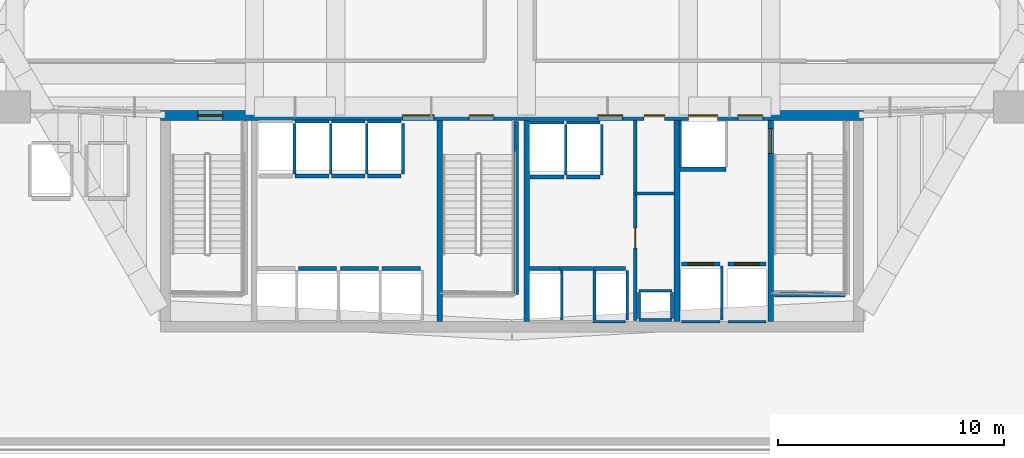
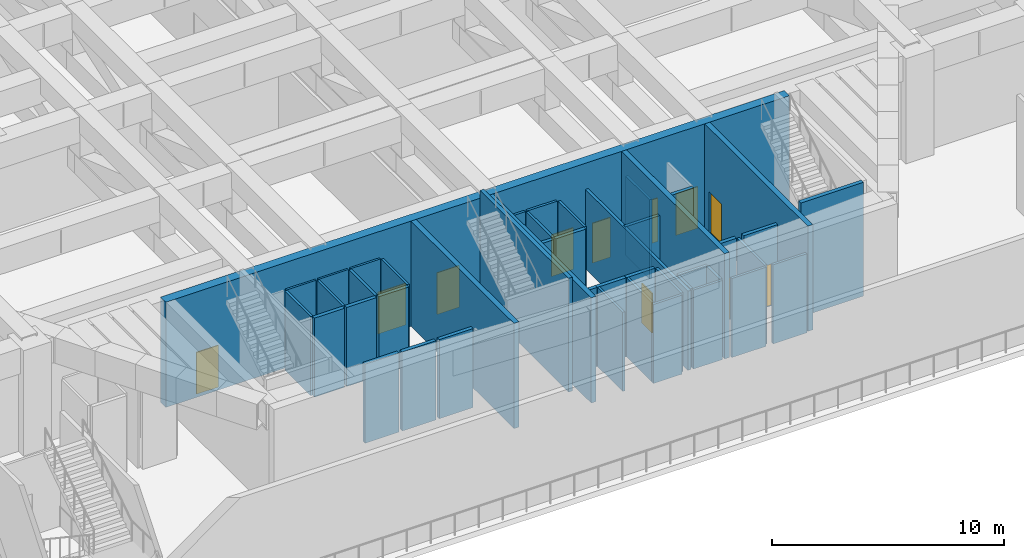
# One storey, part 10 of 27: 46 walls, 11 doors, 11 openings.
"""IFC4 building model written with IfcOpenShell, lengths in metres."""

from ifc_helpers import new_model, si_unit, direction, frame, frame_2d, origin, place, context, subcontext, project, spatial, rectangle, extrude, material, layer, layer_set, type_object, element, fill, save


model = new_model("IFC4")

# Units and contexts
model_context = context("Model", 3, precision=1e-05, world=origin(), true_north=direction((0.0, 1.0)))
body_context = subcontext(model_context, "Body", "Model", "MODEL_VIEW")
ifc_project = project(units=[si_unit("LENGTHUNIT", "METRE"), si_unit("AREAUNIT", "SQUARE_METRE"), si_unit("VOLUMEUNIT", "CUBIC_METRE"), si_unit("PLANEANGLEUNIT", "RADIAN"), si_unit("MASSUNIT", "GRAM", prefix="KILO")], contexts=[model_context])

# Site, building, storey
site_placement = place(None, origin())
site = spatial("IfcSite", under=ifc_project, at=site_placement, CompositionType="ELEMENT")
building_placement = place(site_placement, origin())
building = spatial("IfcBuilding", under=site, at=building_placement, Name="Ndaravel Arena Tower", CompositionType="ELEMENT")
storey_placement = place(building_placement, frame((0.0, 0.0, 24.0)))
storey = spatial("IfcBuildingStorey", under=building, at=storey_placement, Name="L04", CompositionType="ELEMENT", Elevation=24.0)

# Wall, opening, door
ifc_material_1 = material(Name="Gypsum", Category="gypsum")
ifc_layer_1 = layer(ifc_material_1, 0.14990234375)
ifc_layer_set_1 = layer_set([ifc_layer_1], Name="Gypsum")
wall_type_1 = type_object("IfcWallType", Name="WALL-COMP-150", PredefinedType="PARTITIONING", material=ifc_layer_set_1)
wall_1_placement = place(storey_placement, frame((47.449951171875, 5.89990234375, 0.0), z_axis=(0.0, 0.0, 1.0), x_axis=(0.0, 1.0, 0.0)))
wall_1 = element("IfcWall", 1, at=wall_1_placement, inside=storey, type_object=wall_type_1, Name="L04 Core Riser Bay Partition", PredefinedType="PARTITIONING", context=body_context, shape_type="SweptSolid", body=[
    extrude(rectangle(XDim=8.85009765625, YDim=0.14990234375, at=frame_2d((4.425048828125, 0.0))), origin(), (0.0, 0.0, 1.0), 4.169921875),
])
opening_1_placement = place(wall_1_placement, frame((3.199951171875, 0.0, 0.0)))
opening_1 = element("IfcOpeningElement", 2, at=opening_1_placement, cuts=wall_1, Name="Opening RD-01", PredefinedType="OPENING", context=body_context, shape_type="SweptSolid", body=[
    extrude(rectangle(XDim=0.89990234375, YDim=2.10009765625, at=frame_2d((0.449951171875, 1.050048828125))), frame((0.0, 0.074951171875, 0.0), z_axis=(0.0, -1.0, 0.0), x_axis=(1.0, 0.0, 0.0)), (0.0, 0.0, 1.0), 0.14990234375),
])
ifc_material_2 = material(Name="Steel S355", Category="steel")
door_type_1 = type_object("IfcDoorType", Name="DT-08-RISER-900", OperationType="SINGLE_SWING_LEFT", PredefinedType="DOOR", material=ifc_material_2)
door_1_placement = place(opening_1_placement, origin())
door_1 = element("IfcDoor", 3, at=door_1_placement, inside=storey, type_object=door_type_1, Name="L04 Sub-Metering Closet Door", OperationType="SINGLE_SWING_LEFT", OverallHeight=2.10009765625, OverallWidth=0.89990234375, PredefinedType="DOOR", context=body_context, shape_type="SweptSolid", body=[
    extrude(rectangle(XDim=0.89990234375, YDim=2.10009765625, at=frame_2d((0.449951171875, 1.050048828125))), frame((0.0, 0.02490234375, 0.0), z_axis=(0.0, -1.0, 0.0), x_axis=(1.0, 0.0, 0.0)), (0.0, 0.0, 1.0), 0.050048828125),
])
fill(opening_1, door_1)

# Walls
wall_2_placement = place(storey_placement, frame((47.449951171875, 11.52001953125, 0.0), z_axis=(0.0, 0.0, 1.0), x_axis=(1.0, 0.0, 0.0)))
element("IfcWall", 4, at=wall_2_placement, inside=storey, type_object=wall_type_1, Name="L04 Core Riser Divider 1", PredefinedType="PARTITIONING", context=body_context, shape_type="SweptSolid", body=[
    extrude(rectangle(XDim=1.72998046875, YDim=0.14990234375, at=frame_2d((0.864990234375, 0.0))), origin(), (0.0, 0.0, 1.0), 4.169921875),
])
ifc_material_3 = material(Name="Concrete C60/75", Category="concrete")
ifc_layer_2 = layer(ifc_material_3, 0.25)
ifc_layer_set_2 = layer_set([ifc_layer_2], Name="Concrete C60/75")
wall_type_2 = type_object("IfcWallType", Name="WALL-CORE-250", PredefinedType="SOLIDWALL", material=ifc_layer_set_2)
for number, where, z_axis, x_axis, name in (
    (5, (38.800048828125, 5.85009765625, 0.0), (0.0, 0.0, 1.0), (0.0, 1.0, 0.0), "L04 Core Web Shear Wall 2"),
    (6, (42.64990234375, 5.85009765625, 0.0), (0.0, 0.0, 1.0), (0.0, 1.0, 0.0), "L04 Core Web Shear Wall 3"),
    (7, (49.300048828125, 5.85009765625, 0.0), (0.0, 0.0, 1.0), (0.0, 1.0, 0.0), "L04 Core Web Shear Wall 4"),
):
    element("IfcWall", number, at=place(storey_placement, frame(where, z_axis=z_axis, x_axis=x_axis)), inside=storey, type_object=wall_type_2, Name=name, PredefinedType="SOLIDWALL", context=body_context, shape_type="SweptSolid", body=[
        extrude(rectangle(XDim=8.89990234375, YDim=0.25, at=frame_2d((4.449951171875, 0.0))), origin(), (0.0, 0.0, 1.0), 5.550048828125),
    ])

# Wall, opening, door
wall_3_placement = place(storey_placement, frame((53.449951171875, 5.85009765625, 0.0), z_axis=(0.0, 0.0, 1.0), x_axis=(0.0, 1.0, 0.0)))
wall_3 = element("IfcWall", 8, at=wall_3_placement, inside=storey, type_object=wall_type_2, Name="L04 Core Web Shear Wall 5", PredefinedType="SOLIDWALL", context=body_context, shape_type="SweptSolid", body=[
    extrude(rectangle(XDim=8.89990234375, YDim=0.25, at=frame_2d((4.449951171875, 0.0))), origin(), (0.0, 0.0, 1.0), 5.550048828125),
])
opening_2_placement = place(wall_3_placement, frame((7.449951171875, 0.0, 0.0)))
opening_2 = element("IfcOpeningElement", 9, at=opening_2_placement, cuts=wall_3, Name="Opening FD-01", PredefinedType="OPENING", context=body_context, shape_type="SweptSolid", body=[
    extrude(rectangle(XDim=1.10009765625, YDim=2.199951171875, at=frame_2d((0.550048828125, 1.10009765625))), frame((0.0, 0.125, 0.0), z_axis=(0.0, -1.0, 0.0), x_axis=(1.0, 0.0, 0.0)), (0.0, 0.0, 1.0), 0.25),
])
ifc_material_4 = material(Name="Steel S355", Category="steel")
door_type_2 = type_object("IfcDoorType", Name="DT-01-STAIR-1100", OperationType="SINGLE_SWING_LEFT", PredefinedType="DOOR", material=ifc_material_4)
door_2_placement = place(opening_2_placement, origin())
door_2 = element("IfcDoor", 10, at=door_2_placement, inside=storey, type_object=door_type_2, Name="L04 Firefighting Lobby to ST-3 Door", OperationType="SINGLE_SWING_LEFT", OverallHeight=2.199951171875, OverallWidth=1.10009765625, PredefinedType="DOOR", context=body_context, shape_type="SweptSolid", body=[
    extrude(rectangle(XDim=1.10009765625, YDim=2.199951171875, at=frame_2d((0.550048828125, 1.10009765625))), frame((0.0, 0.02490234375, 0.0), z_axis=(0.0, -1.0, 0.0), x_axis=(1.0, 0.0, 0.0)), (0.0, 0.0, 1.0), 0.050048828125),
])
fill(opening_2, door_2)

# Wall, openings, doors
ifc_material_5 = material(Name="Concrete C60/75", Category="concrete")
ifc_layer_3 = layer(ifc_material_5, 0.449951171875)
ifc_layer_set_3 = layer_set([ifc_layer_3], Name="Concrete C60/75")
wall_type_3 = type_object("IfcWallType", Name="WALL-CORE-450", PredefinedType="SOLIDWALL", material=ifc_layer_set_3)
wall_4_placement = place(storey_placement, frame((26.449951171875, 14.97509765625, 0.0), z_axis=(0.0, 0.0, 1.0), x_axis=(1.0, 0.0, 0.0)))
wall_4 = element("IfcWall", 11, at=wall_4_placement, inside=storey, type_object=wall_type_3, Name="L04 Core North Shear Wall", PredefinedType="SOLIDWALL", context=body_context, shape_type="SweptSolid", body=[
    extrude(rectangle(XDim=31.10009765625, YDim=0.449951171875, at=frame_2d((15.550048828125, 0.0))), origin(), (0.0, 0.0, 1.0), 5.550048828125),
])
opening_3_placement = place(wall_4_placement, frame((1.64990234375, 0.0, 0.0)))
opening_3 = element("IfcOpeningElement", 12, at=opening_3_placement, cuts=wall_4, Name="Opening FD-01", PredefinedType="OPENING", context=body_context, shape_type="SweptSolid", body=[
    extrude(rectangle(XDim=1.10009765625, YDim=2.199951171875, at=frame_2d((0.550048828125, 1.10009765625))), frame((0.0, 0.22509765625, 0.0), z_axis=(0.0, -1.0, 0.0), x_axis=(1.0, 0.0, 0.0)), (0.0, 0.0, 1.0), 0.449951171875),
])
opening_4_placement = place(wall_4_placement, frame((13.64990234375, 0.0, 0.0)))
opening_4 = element("IfcOpeningElement", 13, at=opening_4_placement, cuts=wall_4, Name="Opening FD-01", PredefinedType="OPENING", context=body_context, shape_type="SweptSolid", body=[
    extrude(rectangle(XDim=1.10009765625, YDim=2.199951171875, at=frame_2d((0.550048828125, 1.10009765625))), frame((0.0, 0.22509765625, 0.0), z_axis=(0.0, -1.0, 0.0), x_axis=(1.0, 0.0, 0.0)), (0.0, 0.0, 1.0), 0.449951171875),
])
opening_5_placement = place(wall_4_placement, frame((25.550048828125, 0.0, 0.0)))
opening_5 = element("IfcOpeningElement", 14, at=opening_5_placement, cuts=wall_4, Name="Opening FD-01", PredefinedType="OPENING", context=body_context, shape_type="SweptSolid", body=[
    extrude(rectangle(XDim=1.10009765625, YDim=2.199951171875, at=frame_2d((0.550048828125, 1.10009765625))), frame((0.0, 0.22509765625, 0.0), z_axis=(0.0, -1.0, 0.0), x_axis=(1.0, 0.0, 0.0)), (0.0, 0.0, 1.0), 0.449951171875),
])
opening_6_placement = place(wall_4_placement, frame((10.699951171875, 0.0, 0.0)))
opening_6 = element("IfcOpeningElement", 15, at=opening_6_placement, cuts=wall_4, Name="Opening ID-02", PredefinedType="OPENING", context=body_context, shape_type="SweptSolid", body=[
    extrude(rectangle(XDim=1.39990234375, YDim=2.199951171875, at=frame_2d((0.699951171875, 1.10009765625))), frame((0.0, 0.22509765625, 0.0), z_axis=(0.0, -1.0, 0.0), x_axis=(1.0, 0.0, 0.0)), (0.0, 0.0, 1.0), 0.449951171875),
])
opening_7_placement = place(wall_4_placement, frame((19.35009765625, 0.0, 0.0)))
opening_7 = element("IfcOpeningElement", 16, at=opening_7_placement, cuts=wall_4, Name="Opening FD-01", PredefinedType="OPENING", context=body_context, shape_type="SweptSolid", body=[
    extrude(rectangle(XDim=1.10009765625, YDim=2.199951171875, at=frame_2d((0.550048828125, 1.10009765625))), frame((0.0, 0.22509765625, 0.0), z_axis=(0.0, -1.0, 0.0), x_axis=(1.0, 0.0, 0.0)), (0.0, 0.0, 1.0), 0.449951171875),
])
opening_8_placement = place(wall_4_placement, frame((21.39990234375, 0.0, 0.0)))
opening_8 = element("IfcOpeningElement", 17, at=opening_8_placement, cuts=wall_4, Name="Opening RD-01", PredefinedType="OPENING", context=body_context, shape_type="SweptSolid", body=[
    extrude(rectangle(XDim=0.89990234375, YDim=2.10009765625, at=frame_2d((0.449951171875, 1.050048828125))), frame((0.0, 0.22509765625, 0.0), z_axis=(0.0, -1.0, 0.0), x_axis=(1.0, 0.0, 0.0)), (0.0, 0.0, 1.0), 0.449951171875),
])
opening_9_placement = place(wall_4_placement, frame((23.35009765625, 0.0, 0.0)))
opening_9 = element("IfcOpeningElement", 18, at=opening_9_placement, cuts=wall_4, Name="Opening LD-02", PredefinedType="OPENING", context=body_context, shape_type="SweptSolid", body=[
    extrude(rectangle(XDim=1.300048828125, YDim=2.300048828125, at=frame_2d((0.64990234375, 1.14990234375))), frame((0.0, 0.22509765625, 0.0), z_axis=(0.0, -1.0, 0.0), x_axis=(1.0, 0.0, 0.0)), (0.0, 0.0, 1.0), 0.449951171875),
])
door_3_placement = place(opening_3_placement, origin())
door_3 = element("IfcDoor", 19, at=door_3_placement, inside=storey, type_object=door_type_2, Name="L04 Exit Stair ST-1 Door", OperationType="SINGLE_SWING_LEFT", OverallHeight=2.199951171875, OverallWidth=1.10009765625, PredefinedType="DOOR", context=body_context, shape_type="SweptSolid", body=[
    extrude(rectangle(XDim=1.10009765625, YDim=2.199951171875, at=frame_2d((0.550048828125, 1.10009765625))), frame((0.0, 0.02490234375, 0.0), z_axis=(0.0, -1.0, 0.0), x_axis=(1.0, 0.0, 0.0)), (0.0, 0.0, 1.0), 0.050048828125),
])
fill(opening_3, door_3)
door_4_placement = place(opening_4_placement, origin())
door_4 = element("IfcDoor", 20, at=door_4_placement, inside=storey, type_object=door_type_2, Name="L04 Exit Stair ST-2 Door", OperationType="SINGLE_SWING_RIGHT", OverallHeight=2.199951171875, OverallWidth=1.10009765625, PredefinedType="DOOR", context=body_context, shape_type="SweptSolid", body=[
    extrude(rectangle(XDim=1.10009765625, YDim=2.199951171875, at=frame_2d((0.550048828125, 1.10009765625))), frame((0.0, 0.02490234375, 0.0), z_axis=(0.0, -1.0, 0.0), x_axis=(1.0, 0.0, 0.0)), (0.0, 0.0, 1.0), 0.050048828125),
])
fill(opening_4, door_4)
door_5_placement = place(opening_5_placement, origin())
door_5 = element("IfcDoor", 21, at=door_5_placement, inside=storey, type_object=door_type_2, Name="L04 Firefighting Lift Lobby Door", OperationType="SINGLE_SWING_RIGHT", OverallHeight=2.199951171875, OverallWidth=1.10009765625, PredefinedType="DOOR", context=body_context, shape_type="SweptSolid", body=[
    extrude(rectangle(XDim=1.10009765625, YDim=2.199951171875, at=frame_2d((0.550048828125, 1.10009765625))), frame((0.0, 0.02490234375, 0.0), z_axis=(0.0, -1.0, 0.0), x_axis=(1.0, 0.0, 0.0)), (0.0, 0.0, 1.0), 0.050048828125),
])
fill(opening_5, door_5)
door_6_placement = place(opening_7_placement, origin())
door_6 = element("IfcDoor", 22, at=door_6_placement, inside=storey, type_object=door_type_2, Name="L04 Express Lift Lobby Entry Door", OperationType="SINGLE_SWING_LEFT", OverallHeight=2.199951171875, OverallWidth=1.10009765625, PredefinedType="DOOR", context=body_context, shape_type="SweptSolid", body=[
    extrude(rectangle(XDim=1.10009765625, YDim=2.199951171875, at=frame_2d((0.550048828125, 1.10009765625))), frame((0.0, 0.02490234375, 0.0), z_axis=(0.0, -1.0, 0.0), x_axis=(1.0, 0.0, 0.0)), (0.0, 0.0, 1.0), 0.050048828125),
])
fill(opening_7, door_6)
ifc_material_6 = material(Name="Timber", Category="wood")
door_type_3 = type_object("IfcDoorType", Name="DT-04-SUITE-1400", OperationType="DOUBLE_DOOR_SINGLE_SWING", PredefinedType="DOOR", material=ifc_material_6)
door_7_placement = place(opening_6_placement, origin())
door_7 = element("IfcDoor", 23, at=door_7_placement, inside=storey, type_object=door_type_3, Name="L04 West Lift Lobby Entry Door", OperationType="DOUBLE_DOOR_SINGLE_SWING", OverallHeight=2.199951171875, OverallWidth=1.39990234375, PredefinedType="DOOR", context=body_context, shape_type="SweptSolid", body=[
    extrude(rectangle(XDim=1.39990234375, YDim=2.199951171875, at=frame_2d((0.699951171875, 1.10009765625))), frame((0.0, 0.02490234375, 0.0), z_axis=(0.0, -1.0, 0.0), x_axis=(1.0, 0.0, 0.0)), (0.0, 0.0, 1.0), 0.050048828125),
])
fill(opening_6, door_7)
ifc_material_7 = material(Name="Steel S355", Category="steel")
door_type_4 = type_object("IfcDoorType", Name="DT-07-SVLIFT-1300", OperationType="DOUBLE_DOOR_SLIDING", PredefinedType="DOOR", material=ifc_material_7)
door_8_placement = place(opening_9_placement, origin())
door_8 = element("IfcDoor", 24, at=door_8_placement, inside=storey, type_object=door_type_4, Name="L04 Lift SVL-1 Sliding Landing Door", OperationType="DOUBLE_DOOR_SLIDING", OverallHeight=2.300048828125, OverallWidth=1.300048828125, PredefinedType="DOOR", context=body_context, shape_type="SweptSolid", body=[
    extrude(rectangle(XDim=1.300048828125, YDim=2.300048828125, at=frame_2d((0.64990234375, 1.14990234375))), frame((0.0, 0.02490234375, 0.0), z_axis=(0.0, -1.0, 0.0), x_axis=(1.0, 0.0, 0.0)), (0.0, 0.0, 1.0), 0.050048828125),
])
fill(opening_9, door_8)
door_9_placement = place(opening_8_placement, origin())
door_9 = element("IfcDoor", 25, at=door_9_placement, inside=storey, type_object=door_type_1, Name="L04 Core Service Riser North Door", OperationType="SINGLE_SWING_LEFT", OverallHeight=2.10009765625, OverallWidth=0.89990234375, PredefinedType="DOOR", context=body_context, shape_type="SweptSolid", body=[
    extrude(rectangle(XDim=0.89990234375, YDim=2.10009765625, at=frame_2d((0.449951171875, 1.050048828125))), frame((0.0, 0.02490234375, 0.0), z_axis=(0.0, -1.0, 0.0), x_axis=(1.0, 0.0, 0.0)), (0.0, 0.0, 1.0), 0.050048828125),
])
fill(opening_8, door_9)

# Walls
ifc_material_8 = material(Name="Concrete C40/50", Category="concrete")
ifc_layer_4 = layer(ifc_material_8, 0.1201171875)
ifc_layer_set_4 = layer_set([ifc_layer_4], Name="Concrete C40/50")
wall_type_4 = type_object("IfcWallType", Name="WALL-SHAFT-120", PredefinedType="SOLIDWALL", material=ifc_layer_set_4)
for number, where, z_axis, x_axis, name in (
    (26, (47.6201171875, 5.919921875, 0.0), (0.0, 0.0, 1.0), (1.0, 0.0, 0.0), "L04 MEP Riser Shaft S Wall"),
    (27, (47.6201171875, 7.219970703125, 0.0), (0.0, 0.0, 1.0), (1.0, 0.0, 0.0), "L04 MEP Riser Shaft N Wall"),
):
    element("IfcWall", number, at=place(storey_placement, frame(where, z_axis=z_axis, x_axis=x_axis)), inside=storey, type_object=wall_type_4, Name=name, PredefinedType="SOLIDWALL", context=body_context, shape_type="SweptSolid", body=[
        extrude(rectangle(XDim=1.4599609375, YDim=0.1201171875, at=frame_2d((0.72998046875, 0.0))), origin(), (0.0, 0.0, 1.0), 4.169921875),
    ])
for number, where, z_axis, x_axis, name in (
    (28, (47.6201171875, 6.0, 0.0), (0.0, 0.0, 1.0), (0.0, 1.0, 0.0), "L04 MEP Riser Shaft W Wall"),
    (29, (49.080078125, 6.0, 0.0), (0.0, 0.0, 1.0), (0.0, 1.0, 0.0), "L04 MEP Riser Shaft E Wall"),
):
    element("IfcWall", number, at=place(storey_placement, frame(where, z_axis=z_axis, x_axis=x_axis)), inside=storey, type_object=wall_type_4, Name=name, PredefinedType="SOLIDWALL", context=body_context, shape_type="SweptSolid", body=[
        extrude(rectangle(XDim=1.139892578125, YDim=0.1201171875, at=frame_2d((0.56982421875, 0.0))), origin(), (0.0, 0.0, 1.0), 4.169921875),
    ])
wall_5_placement = place(storey_placement, frame((32.375, 12.389892578125, 0.0), z_axis=(0.0, 0.0, 1.0), x_axis=(0.0, 1.0, 0.0)))
element("IfcWall", 30, at=wall_5_placement, inside=storey, type_object=wall_type_4, Name="L04 PL-M1 Shaft Side R Wall", PredefinedType="SOLIDWALL", context=body_context, shape_type="SweptSolid", body=[
    extrude(rectangle(XDim=2.230224609375, YDim=0.1201171875, at=frame_2d((1.115234375, 0.0))), origin(), (0.0, 0.0, 1.0), 4.169921875),
])
wall_6_placement = place(storey_placement, frame((32.405029296875, 14.7099609375, 0.0), z_axis=(0.0, 0.0, 1.0), x_axis=(1.0, 0.0, 0.0)))
element("IfcWall", 31, at=wall_6_placement, inside=storey, type_object=wall_type_4, Name="L04 PL-M2 Shaft Rear Wall", PredefinedType="SOLIDWALL", context=body_context, shape_type="SweptSolid", body=[
    extrude(rectangle(XDim=1.489990234375, YDim=0.1201171875, at=frame_2d((0.7451171875, 0.0))), origin(), (0.0, 0.0, 1.0), 4.169921875),
])
wall_7_placement = place(storey_placement, frame((33.97509765625, 12.389892578125, 0.0), z_axis=(0.0, 0.0, 1.0), x_axis=(0.0, 1.0, 0.0)))
element("IfcWall", 32, at=wall_7_placement, inside=storey, type_object=wall_type_4, Name="L04 PL-M2 Shaft Side R Wall", PredefinedType="SOLIDWALL", context=body_context, shape_type="SweptSolid", body=[
    extrude(rectangle(XDim=2.230224609375, YDim=0.1201171875, at=frame_2d((1.115234375, 0.0))), origin(), (0.0, 0.0, 1.0), 4.169921875),
])
wall_8_placement = place(storey_placement, frame((34.0048828125, 14.7099609375, 0.0), z_axis=(0.0, 0.0, 1.0), x_axis=(1.0, 0.0, 0.0)))
element("IfcWall", 33, at=wall_8_placement, inside=storey, type_object=wall_type_4, Name="L04 PL-M3 Shaft Rear Wall", PredefinedType="SOLIDWALL", context=body_context, shape_type="SweptSolid", body=[
    extrude(rectangle(XDim=1.490234375, YDim=0.1201171875, at=frame_2d((0.7451171875, 0.0))), origin(), (0.0, 0.0, 1.0), 4.169921875),
])
wall_9_placement = place(storey_placement, frame((35.574951171875, 12.389892578125, 0.0), z_axis=(0.0, 0.0, 1.0), x_axis=(0.0, 1.0, 0.0)))
element("IfcWall", 34, at=wall_9_placement, inside=storey, type_object=wall_type_4, Name="L04 PL-M3 Shaft Side R Wall", PredefinedType="SOLIDWALL", context=body_context, shape_type="SweptSolid", body=[
    extrude(rectangle(XDim=2.230224609375, YDim=0.1201171875, at=frame_2d((1.115234375, 0.0))), origin(), (0.0, 0.0, 1.0), 4.169921875),
])
wall_10_placement = place(storey_placement, frame((35.60498046875, 14.7099609375, 0.0), z_axis=(0.0, 0.0, 1.0), x_axis=(1.0, 0.0, 0.0)))
element("IfcWall", 35, at=wall_10_placement, inside=storey, type_object=wall_type_4, Name="L04 PL-M4 Shaft Rear Wall", PredefinedType="SOLIDWALL", context=body_context, shape_type="SweptSolid", body=[
    extrude(rectangle(XDim=1.489990234375, YDim=0.1201171875, at=frame_2d((0.7451171875, 0.0))), origin(), (0.0, 0.0, 1.0), 4.169921875),
])
wall_11_placement = place(storey_placement, frame((37.175048828125, 12.389892578125, 0.0), z_axis=(0.0, 0.0, 1.0), x_axis=(0.0, 1.0, 0.0)))
element("IfcWall", 36, at=wall_11_placement, inside=storey, type_object=wall_type_4, Name="L04 PL-M4 Shaft Side R Wall", PredefinedType="SOLIDWALL", context=body_context, shape_type="SweptSolid", body=[
    extrude(rectangle(XDim=2.230224609375, YDim=0.1201171875, at=frame_2d((1.115234375, 0.0))), origin(), (0.0, 0.0, 1.0), 4.169921875),
])
for number, where, z_axis, x_axis, name in (
    (37, (44.199951171875, 5.929931640625, 0.0), (0.0, 0.0, 1.0), (0.0, 1.0, 0.0), "L04 PL-H1 Shaft Side R Wall"),
    (38, (45.64990234375, 5.929931640625, 0.0), (0.0, 0.0, 1.0), (0.0, 1.0, 0.0), "L04 PL-H2 Shaft Side R Wall"),
):
    element("IfcWall", number, at=place(storey_placement, frame(where, z_axis=z_axis, x_axis=x_axis)), inside=storey, type_object=wall_type_4, Name=name, PredefinedType="SOLIDWALL", context=body_context, shape_type="SweptSolid", body=[
        extrude(rectangle(XDim=2.18017578125, YDim=0.1201171875, at=frame_2d((1.090087890625, 0.0))), origin(), (0.0, 0.0, 1.0), 4.169921875),
    ])
wall_12_placement = place(storey_placement, frame((45.580078125, 5.840087890625, 0.0), z_axis=(0.0, 0.0, 1.0), x_axis=(1.0, 0.0, 0.0)))
element("IfcWall", 39, at=wall_12_placement, inside=storey, type_object=wall_type_4, Name="L04 PL-H3 Shaft Rear Wall", PredefinedType="SOLIDWALL", context=body_context, shape_type="SweptSolid", body=[
    extrude(rectangle(XDim=1.43994140625, YDim=0.1201171875, at=frame_2d((0.719970703125, 0.0))), origin(), (0.0, 0.0, 1.0), 4.169921875),
])
wall_13_placement = place(storey_placement, frame((47.10009765625, 5.929931640625, 0.0), z_axis=(0.0, 0.0, 1.0), x_axis=(0.0, 1.0, 0.0)))
element("IfcWall", 40, at=wall_13_placement, inside=storey, type_object=wall_type_4, Name="L04 PL-H3 Shaft Side R Wall", PredefinedType="SOLIDWALL", context=body_context, shape_type="SweptSolid", body=[
    extrude(rectangle(XDim=2.18017578125, YDim=0.1201171875, at=frame_2d((1.090087890625, 0.0))), origin(), (0.0, 0.0, 1.0), 4.169921875),
])
wall_14_placement = place(storey_placement, frame((42.804931640625, 14.659912109375, 0.0), z_axis=(0.0, 0.0, 1.0), x_axis=(1.0, 0.0, 0.0)))
element("IfcWall", 41, at=wall_14_placement, inside=storey, type_object=wall_type_4, Name="L04 PL-OBS1 Shaft Rear Wall", PredefinedType="SOLIDWALL", context=body_context, shape_type="SweptSolid", body=[
    extrude(rectangle(XDim=1.489990234375, YDim=0.1201171875, at=frame_2d((0.7451171875, 0.0))), origin(), (0.0, 0.0, 1.0), 4.169921875),
])
wall_15_placement = place(storey_placement, frame((44.375, 12.340087890625, 0.0), z_axis=(0.0, 0.0, 1.0), x_axis=(0.0, 1.0, 0.0)))
element("IfcWall", 42, at=wall_15_placement, inside=storey, type_object=wall_type_4, Name="L04 PL-OBS1 Shaft Side R Wall", PredefinedType="SOLIDWALL", context=body_context, shape_type="SweptSolid", body=[
    extrude(rectangle(XDim=2.22998046875, YDim=0.1201171875, at=frame_2d((1.114990234375, 0.0))), origin(), (0.0, 0.0, 1.0), 4.169921875),
])
wall_16_placement = place(storey_placement, frame((44.405029296875, 14.659912109375, 0.0), z_axis=(0.0, 0.0, 1.0), x_axis=(1.0, 0.0, 0.0)))
element("IfcWall", 43, at=wall_16_placement, inside=storey, type_object=wall_type_4, Name="L04 PL-OBS2 Shaft Rear Wall", PredefinedType="SOLIDWALL", context=body_context, shape_type="SweptSolid", body=[
    extrude(rectangle(XDim=1.489990234375, YDim=0.1201171875, at=frame_2d((0.7451171875, 0.0))), origin(), (0.0, 0.0, 1.0), 4.169921875),
])
wall_17_placement = place(storey_placement, frame((45.97509765625, 12.340087890625, 0.0), z_axis=(0.0, 0.0, 1.0), x_axis=(0.0, 1.0, 0.0)))
element("IfcWall", 44, at=wall_17_placement, inside=storey, type_object=wall_type_4, Name="L04 PL-OBS2 Shaft Side R Wall", PredefinedType="SOLIDWALL", context=body_context, shape_type="SweptSolid", body=[
    extrude(rectangle(XDim=2.22998046875, YDim=0.1201171875, at=frame_2d((1.114990234375, 0.0))), origin(), (0.0, 0.0, 1.0), 4.169921875),
])
wall_18_placement = place(storey_placement, frame((49.5048828125, 5.840087890625, 0.0), z_axis=(0.0, 0.0, 1.0), x_axis=(1.0, 0.0, 0.0)))
element("IfcWall", 45, at=wall_18_placement, inside=storey, type_object=wall_type_4, Name="L04 FFL-1 Shaft Rear Wall", PredefinedType="SOLIDWALL", context=body_context, shape_type="SweptSolid", body=[
    extrude(rectangle(XDim=1.690185546875, YDim=0.1201171875, at=frame_2d((0.84521484375, 0.0))), origin(), (0.0, 0.0, 1.0), 4.169921875),
])
wall_19_placement = place(storey_placement, frame((51.27490234375, 5.929931640625, 0.0), z_axis=(0.0, 0.0, 1.0), x_axis=(0.0, 1.0, 0.0)))
element("IfcWall", 46, at=wall_19_placement, inside=storey, type_object=wall_type_4, Name="L04 FFL-1 Shaft Side R Wall", PredefinedType="SOLIDWALL", context=body_context, shape_type="SweptSolid", body=[
    extrude(rectangle(XDim=2.380126953125, YDim=0.1201171875, at=frame_2d((1.18994140625, 0.0))), origin(), (0.0, 0.0, 1.0), 4.169921875),
])
wall_20_placement = place(storey_placement, frame((51.554931640625, 5.840087890625, 0.0), z_axis=(0.0, 0.0, 1.0), x_axis=(1.0, 0.0, 0.0)))
element("IfcWall", 47, at=wall_20_placement, inside=storey, type_object=wall_type_4, Name="L04 FFL-2 Shaft Rear Wall", PredefinedType="SOLIDWALL", context=body_context, shape_type="SweptSolid", body=[
    extrude(rectangle(XDim=1.690185546875, YDim=0.1201171875, at=frame_2d((0.84521484375, 0.0))), origin(), (0.0, 0.0, 1.0), 4.169921875),
])
wall_21_placement = place(storey_placement, frame((49.43994140625, 12.68994140625, 0.0), z_axis=(0.0, 0.0, 1.0), x_axis=(0.0, 1.0, 0.0)))
element("IfcWall", 48, at=wall_21_placement, inside=storey, type_object=wall_type_4, Name="L04 SVL-1 Shaft W Wall", PredefinedType="SOLIDWALL", context=body_context, shape_type="SweptSolid", body=[
    extrude(rectangle(XDim=2.070068359375, YDim=0.1201171875, at=frame_2d((1.03515625, 0.0))), origin(), (0.0, 0.0, 1.0), 4.169921875),
])
ifc_material_9 = material(Name="Concrete C40/50", Category="concrete")
ifc_layer_5 = layer(ifc_material_9, 0.199951171875)
ifc_layer_set_5 = layer_set([ifc_layer_5], Name="Concrete C40/50")
wall_type_5 = type_object("IfcWallType", Name="WALL-SHAFT-200", PredefinedType="SOLIDWALL", material=ifc_layer_set_5)
wall_22_placement = place(storey_placement, frame((42.18994140625, 14.699951171875, 0.0), z_axis=(0.0, 0.0, 1.0), x_axis=(0.0, -1.0, 0.0)))
element("IfcWall", 49, at=wall_22_placement, inside=storey, type_object=wall_type_5, Name="L04 ST-2 Structural Shaft Wall Right", PredefinedType="SOLIDWALL", context=body_context, shape_type="SweptSolid", body=[
    extrude(rectangle(XDim=7.64990234375, YDim=0.199951171875, at=frame_2d((3.824951171875, 0.0))), origin(), (0.0, 0.0, 1.0), 6.0),
])
wall_23_placement = place(storey_placement, frame((53.6201171875, 7.050048828125, 0.0), z_axis=(0.0, 0.0, 1.0), x_axis=(1.0, 0.0, 0.0)))
element("IfcWall", 50, at=wall_23_placement, inside=storey, type_object=wall_type_5, Name="L04 ST-3 Structural Shaft Wall Far", PredefinedType="SOLIDWALL", context=body_context, shape_type="SweptSolid", body=[
    extrude(rectangle(XDim=3.114990234375, YDim=0.199951171875, at=frame_2d((1.5576171875, 0.0))), origin(), (0.0, 0.0, 1.0), 6.0),
])
wall_24_placement = place(storey_placement, frame((32.554931640625, 8.199951171875, 0.0), z_axis=(0.0, 0.0, 1.0), x_axis=(1.0, 0.0, 0.0)))
element("IfcWall", 51, at=wall_24_placement, inside=storey, type_object=wall_type_5, Name="L04 PL-L2 Shaft Landing Wall", PredefinedType="SOLIDWALL", context=body_context, shape_type="SweptSolid", body=[
    extrude(rectangle(XDim=1.690185546875, YDim=0.179931640625, at=frame_2d((0.84521484375, 0.0))), origin(), (0.0, 0.0, 1.0), 4.169921875),
])
wall_25_placement = place(storey_placement, frame((34.405029296875, 8.199951171875, 0.0), z_axis=(0.0, 0.0, 1.0), x_axis=(1.0, 0.0, 0.0)))
element("IfcWall", 52, at=wall_25_placement, inside=storey, type_object=wall_type_5, Name="L04 PL-L3 Shaft Landing Wall", PredefinedType="SOLIDWALL", context=body_context, shape_type="SweptSolid", body=[
    extrude(rectangle(XDim=1.68994140625, YDim=0.179931640625, at=frame_2d((0.844970703125, 0.0))), origin(), (0.0, 0.0, 1.0), 4.169921875),
])
wall_26_placement = place(storey_placement, frame((36.2548828125, 8.199951171875, 0.0), z_axis=(0.0, 0.0, 1.0), x_axis=(1.0, 0.0, 0.0)))
element("IfcWall", 53, at=wall_26_placement, inside=storey, type_object=wall_type_5, Name="L04 PL-L4 Shaft Landing Wall", PredefinedType="SOLIDWALL", context=body_context, shape_type="SweptSolid", body=[
    extrude(rectangle(XDim=1.690185546875, YDim=0.179931640625, at=frame_2d((0.84521484375, 0.0))), origin(), (0.0, 0.0, 1.0), 4.169921875),
])
wall_27_placement = place(storey_placement, frame((32.405029296875, 12.300048828125, 0.0), z_axis=(0.0, 0.0, 1.0), x_axis=(1.0, 0.0, 0.0)))
element("IfcWall", 54, at=wall_27_placement, inside=storey, type_object=wall_type_5, Name="L04 PL-M2 Shaft Landing Wall", PredefinedType="SOLIDWALL", context=body_context, shape_type="SweptSolid", body=[
    extrude(rectangle(XDim=1.489990234375, YDim=0.179931640625, at=frame_2d((0.7451171875, 0.0))), origin(), (0.0, 0.0, 1.0), 4.169921875),
])
wall_28_placement = place(storey_placement, frame((34.0048828125, 12.300048828125, 0.0), z_axis=(0.0, 0.0, 1.0), x_axis=(1.0, 0.0, 0.0)))
element("IfcWall", 55, at=wall_28_placement, inside=storey, type_object=wall_type_5, Name="L04 PL-M3 Shaft Landing Wall", PredefinedType="SOLIDWALL", context=body_context, shape_type="SweptSolid", body=[
    extrude(rectangle(XDim=1.490234375, YDim=0.179931640625, at=frame_2d((0.7451171875, 0.0))), origin(), (0.0, 0.0, 1.0), 4.169921875),
])
wall_29_placement = place(storey_placement, frame((35.60498046875, 12.300048828125, 0.0), z_axis=(0.0, 0.0, 1.0), x_axis=(1.0, 0.0, 0.0)))
element("IfcWall", 56, at=wall_29_placement, inside=storey, type_object=wall_type_5, Name="L04 PL-M4 Shaft Landing Wall", PredefinedType="SOLIDWALL", context=body_context, shape_type="SweptSolid", body=[
    extrude(rectangle(XDim=1.489990234375, YDim=0.179931640625, at=frame_2d((0.7451171875, 0.0))), origin(), (0.0, 0.0, 1.0), 4.169921875),
])
wall_30_placement = place(storey_placement, frame((42.780029296875, 8.199951171875, 0.0), z_axis=(0.0, 0.0, 1.0), x_axis=(1.0, 0.0, 0.0)))
element("IfcWall", 57, at=wall_30_placement, inside=storey, type_object=wall_type_5, Name="L04 PL-H1 Shaft Landing Wall", PredefinedType="SOLIDWALL", context=body_context, shape_type="SweptSolid", body=[
    extrude(rectangle(XDim=1.340087890625, YDim=0.179931640625, at=frame_2d((0.669921875, 0.0))), origin(), (0.0, 0.0, 1.0), 4.169921875),
])
wall_31_placement = place(storey_placement, frame((44.1298828125, 8.199951171875, 0.0), z_axis=(0.0, 0.0, 1.0), x_axis=(1.0, 0.0, 0.0)))
element("IfcWall", 58, at=wall_31_placement, inside=storey, type_object=wall_type_5, Name="L04 PL-H2 Shaft Landing Wall", PredefinedType="SOLIDWALL", context=body_context, shape_type="SweptSolid", body=[
    extrude(rectangle(XDim=1.440185546875, YDim=0.179931640625, at=frame_2d((0.72021484375, 0.0))), origin(), (0.0, 0.0, 1.0), 4.169921875),
])
wall_32_placement = place(storey_placement, frame((45.580078125, 8.199951171875, 0.0), z_axis=(0.0, 0.0, 1.0), x_axis=(1.0, 0.0, 0.0)))
element("IfcWall", 59, at=wall_32_placement, inside=storey, type_object=wall_type_5, Name="L04 PL-H3 Shaft Landing Wall", PredefinedType="SOLIDWALL", context=body_context, shape_type="SweptSolid", body=[
    extrude(rectangle(XDim=1.43994140625, YDim=0.179931640625, at=frame_2d((0.719970703125, 0.0))), origin(), (0.0, 0.0, 1.0), 4.169921875),
])
for number, where, z_axis, x_axis, name in (
    (60, (42.804931640625, 12.25, 0.0), (0.0, 0.0, 1.0), (1.0, 0.0, 0.0), "L04 PL-OBS1 Shaft Landing Wall"),
    (61, (44.405029296875, 12.25, 0.0), (0.0, 0.0, 1.0), (1.0, 0.0, 0.0), "L04 PL-OBS2 Shaft Landing Wall"),
):
    element("IfcWall", number, at=place(storey_placement, frame(where, z_axis=z_axis, x_axis=x_axis)), inside=storey, type_object=wall_type_5, Name=name, PredefinedType="SOLIDWALL", context=body_context, shape_type="SweptSolid", body=[
        extrude(rectangle(XDim=1.489990234375, YDim=0.179931640625, at=frame_2d((0.7451171875, 0.0))), origin(), (0.0, 0.0, 1.0), 4.169921875),
    ])

# Wall, opening, door
wall_33_placement = place(storey_placement, frame((49.5048828125, 8.39990234375, 0.0), z_axis=(0.0, 0.0, 1.0), x_axis=(1.0, 0.0, 0.0)))
wall_33 = element("IfcWall", 62, at=wall_33_placement, inside=storey, type_object=wall_type_5, Name="L04 FFL-1 Shaft Landing Wall", PredefinedType="SOLIDWALL", context=body_context, shape_type="SweptSolid", body=[
    extrude(rectangle(XDim=1.690185546875, YDim=0.179931640625, at=frame_2d((0.84521484375, 0.0))), origin(), (0.0, 0.0, 1.0), 4.169921875),
])
opening_10_placement = place(wall_33_placement, frame((0.294921875, 0.0, 0.0)))
opening_10 = element("IfcOpeningElement", 63, at=opening_10_placement, cuts=wall_33, Name="Opening LD-01", PredefinedType="OPENING", context=body_context, shape_type="SweptSolid", body=[
    extrude(rectangle(XDim=1.10009765625, YDim=2.199951171875, at=frame_2d((0.550048828125, 1.10009765625))), frame((0.0, 0.08984375, 0.0), z_axis=(0.0, -1.0, 0.0), x_axis=(1.0, 0.0, 0.0)), (0.0, 0.0, 1.0), 0.179931640625),
])
ifc_material_10 = material(Name="Steel S355", Category="steel")
door_type_5 = type_object("IfcDoorType", Name="DT-06-LIFT-1100", OperationType="SLIDING_TO_LEFT", PredefinedType="DOOR", material=ifc_material_10)
door_10_placement = place(opening_10_placement, origin())
door_10 = element("IfcDoor", 64, at=door_10_placement, inside=storey, type_object=door_type_5, Name="L04 Lift FFL-1 Sliding Landing Door", OperationType="SLIDING_TO_LEFT", OverallHeight=2.199951171875, OverallWidth=1.10009765625, PredefinedType="DOOR", context=body_context, shape_type="SweptSolid", body=[
    extrude(rectangle(XDim=1.10009765625, YDim=2.199951171875, at=frame_2d((0.550048828125, 1.10009765625))), frame((0.0, 0.02490234375, 0.0), z_axis=(0.0, -1.0, 0.0), x_axis=(1.0, 0.0, 0.0)), (0.0, 0.0, 1.0), 0.050048828125),
])
fill(opening_10, door_10)

wall_34_placement = place(storey_placement, frame((51.554931640625, 8.39990234375, 0.0), z_axis=(0.0, 0.0, 1.0), x_axis=(1.0, 0.0, 0.0)))
wall_34 = element("IfcWall", 65, at=wall_34_placement, inside=storey, type_object=wall_type_5, Name="L04 FFL-2 Shaft Landing Wall", PredefinedType="SOLIDWALL", context=body_context, shape_type="SweptSolid", body=[
    extrude(rectangle(XDim=1.690185546875, YDim=0.179931640625, at=frame_2d((0.84521484375, 0.0))), origin(), (0.0, 0.0, 1.0), 4.169921875),
])
opening_11_placement = place(wall_34_placement, frame((0.294921875, 0.0, 0.0)))
opening_11 = element("IfcOpeningElement", 66, at=opening_11_placement, cuts=wall_34, Name="Opening LD-01", PredefinedType="OPENING", context=body_context, shape_type="SweptSolid", body=[
    extrude(rectangle(XDim=1.10009765625, YDim=2.199951171875, at=frame_2d((0.550048828125, 1.10009765625))), frame((0.0, 0.08984375, 0.0), z_axis=(0.0, -1.0, 0.0), x_axis=(1.0, 0.0, 0.0)), (0.0, 0.0, 1.0), 0.179931640625),
])
door_11_placement = place(opening_11_placement, origin())
door_11 = element("IfcDoor", 67, at=door_11_placement, inside=storey, type_object=door_type_5, Name="L04 Lift FFL-2 Sliding Landing Door", OperationType="SLIDING_TO_LEFT", OverallHeight=2.199951171875, OverallWidth=1.10009765625, PredefinedType="DOOR", context=body_context, shape_type="SweptSolid", body=[
    extrude(rectangle(XDim=1.10009765625, YDim=2.199951171875, at=frame_2d((0.550048828125, 1.10009765625))), frame((0.0, 0.02490234375, 0.0), z_axis=(0.0, -1.0, 0.0), x_axis=(1.0, 0.0, 0.0)), (0.0, 0.0, 1.0), 0.050048828125),
])
fill(opening_11, door_11)

# Wall
wall_35_placement = place(storey_placement, frame((49.43994140625, 12.594970703125, 0.0), z_axis=(0.0, 0.0, 1.0), x_axis=(1.0, 0.0, 0.0)))
element("IfcWall", 68, at=wall_35_placement, inside=storey, type_object=wall_type_5, Name="L04 SVL-1 Shaft South Wall", PredefinedType="SOLIDWALL", context=body_context, shape_type="SweptSolid", body=[
    extrude(rectangle(XDim=2.0400390625, YDim=0.179931640625, at=frame_2d((1.02001953125, 0.0))), origin(), (0.0, 0.0, 1.0), 4.169921875),
])

save(model, "model.ifc")
